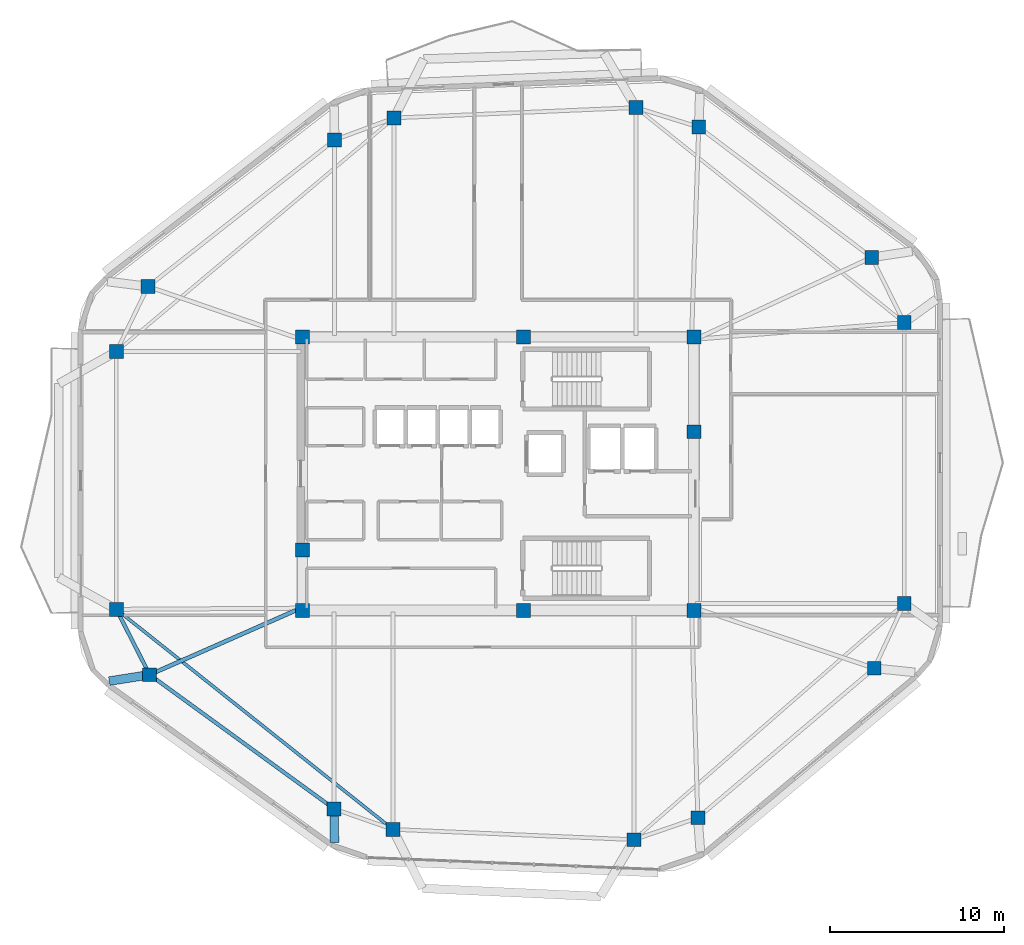
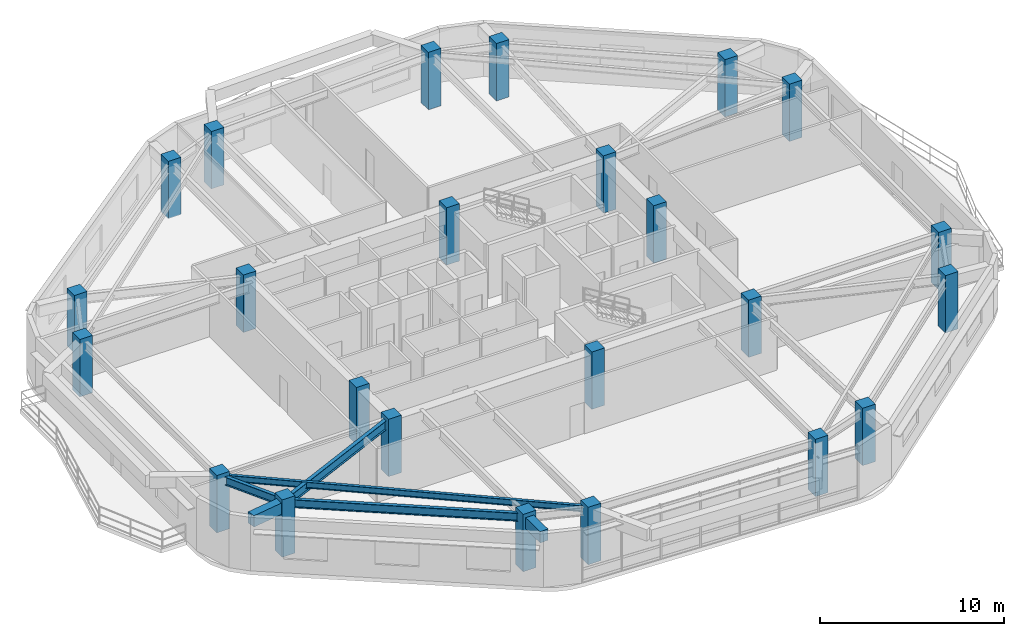
# One storey, part 1 of 13: 24 columns, 6 beams.
"""IFC4 building model written with IfcOpenShell, lengths in metres."""

from ifc_helpers import new_model, si_unit, direction, frame, origin, origin_2d, place, context, subcontext, project, spatial, rectangle, i_section, extrude, material, material_profile, profile_set, type_object, element, save


model = new_model("IFC4")

# Units and contexts
model_context = context("Model", 3, precision=1e-05, world=origin(), true_north=direction((0.0, 1.0)))
body_context = subcontext(model_context, "Body", "Model", "MODEL_VIEW")
ifc_project = project(units=[si_unit("LENGTHUNIT", "METRE"), si_unit("AREAUNIT", "SQUARE_METRE"), si_unit("VOLUMEUNIT", "CUBIC_METRE"), si_unit("PLANEANGLEUNIT", "RADIAN"), si_unit("MASSUNIT", "GRAM", prefix="KILO")], contexts=[model_context])

# Site, building, storey
site_placement = place(None, origin())
site = spatial("IfcSite", under=ifc_project, at=site_placement, CompositionType="ELEMENT")
building_placement = place(site_placement, origin())
building = spatial("IfcBuilding", under=site, at=building_placement, Name="Zulverin Broadcast Headquarters", CompositionType="ELEMENT")
storey_placement = place(building_placement, frame((0.0, 0.0, 278.199951171875)))
storey = spatial("IfcBuildingStorey", under=building, at=storey_placement, Name="L71", CompositionType="ELEMENT", Elevation=278.199951171875)

# Columns
ifc_material_1 = material(Name="Concrete C50/60", Category="concrete")
ifc_material_profile_1 = material_profile(ifc_material_1, rectangle(XDim=0.800048828125, YDim=0.800048828125, at=origin_2d()), Name="Concrete C50/60", Category="concrete")
ifc_profile_set_1 = profile_set([ifc_material_profile_1], Name="Concrete C50/60")
column_type_1 = type_object("IfcColumnType", Name="COL-RC-800", PredefinedType="COLUMN", material=ifc_profile_set_1)
for number, where, z_axis, x_axis, name in (
    (1, (30.93359375, 4.703125, 0.0), (0.0, 0.0, 1.0), (1.0, 0.0, 0.0), "L71 Perimeter Column T01"),
    (2, (44.826904296875, 4.1083984375, 0.0), (0.0, 0.0, 1.0), (1.0, 0.0, 0.0), "L71 Perimeter Column T02"),
    (3, (48.5078125, 5.3701171875, 0.0), (0.0, 0.0, 1.0), (1.0, 0.0, 0.0), "L71 Perimeter Column T03"),
    (4, (58.6748046875, 13.9892578125, 0.0), (0.0, 0.0, 1.0), (1.0, 0.0, 0.0), "L71 Perimeter Column T04"),
    (5, (60.39990234375, 17.713623046875, 0.0), (0.0, 0.0, 1.0), (1.0, 0.0, 0.0), "L71 Perimeter Column T05"),
    (6, (60.39990234375, 33.903076171875, 0.0), (0.0, 0.0, 1.0), (1.0, 0.0, 0.0), "L71 Perimeter Column T06"),
    (7, (58.52587890625, 37.661865234375, 0.0), (0.0, 0.0, 1.0), (1.0, 0.0, 0.0), "L71 Perimeter Column T07"),
    (8, (48.55908203125, 45.172607421875, 0.0), (0.0, 0.0, 1.0), (1.0, 0.0, 0.0), "L71 Perimeter Column T08"),
    (9, (44.944580078125, 46.296630859375, 0.0), (0.0, 0.0, 1.0), (1.0, 0.0, 0.0), "L71 Perimeter Column T09"),
    (10, (31.006591796875, 45.699951171875, 0.0), (0.0, 0.0, 1.0), (1.0, 0.0, 0.0), "L71 Perimeter Column T10"),
    (11, (27.573486328125, 44.4296875, 0.0), (0.0, 0.0, 1.0), (1.0, 0.0, 0.0), "L71 Perimeter Column T11"),
    (12, (16.82177734375, 35.98388671875, 0.0), (0.0, 0.0, 1.0), (1.0, 0.0, 0.0), "L71 Perimeter Column T12"),
    (13, (15.0, 32.236083984375, 0.0), (0.0, 0.0, 1.0), (1.0, 0.0, 0.0), "L71 Perimeter Column T13"),
    (14, (15.0, 17.383056640625, 0.0), (0.0, 0.0, 1.0), (1.0, 0.0, 0.0), "L71 Perimeter Column T14"),
    (15, (16.918212890625, 13.61572265625, 0.0), (0.0, 0.0, 1.0), (1.0, 0.0, 0.0), "L71 Perimeter Column T15"),
    (16, (27.54541015625, 5.8857421875, 0.0), (0.0, 0.0, 1.0), (1.0, 0.0, 0.0), "L71 Perimeter Column T16"),
):
    element("IfcColumn", number, at=place(storey_placement, frame(where, z_axis=z_axis, x_axis=x_axis)), inside=storey, type_object=column_type_1, Name=name, PredefinedType="COLUMN", context=body_context, shape_type="SweptSolid", body=[
        extrude(rectangle(XDim=0.800048828125, YDim=0.800048828125, at=origin_2d()), origin(), (0.0, 0.0, 1.0), 3.800048828125),
    ])
ifc_material_profile_2 = material_profile(ifc_material_1, rectangle(XDim=0.800048828125, YDim=0.800048828125, at=origin_2d()), Name="Concrete C50/60", Category="concrete")
ifc_profile_set_2 = profile_set([ifc_material_profile_2], Name="Concrete C50/60")
column_type_2 = type_object("IfcColumnType", Name="PIL-RC-800", PredefinedType="PILASTER", material=ifc_profile_set_2)
for number, where, z_axis, x_axis, name in (
    (17, (25.72509765625, 17.324951171875, 0.0), (0.0, 0.0, 1.0), (1.0, 0.0, 0.0), "L71 Core Pilaster K01"),
    (18, (38.449951171875, 17.324951171875, 0.0), (0.0, 0.0, 1.0), (1.0, 0.0, 0.0), "L71 Core Pilaster K02"),
    (19, (48.27490234375, 17.324951171875, 0.0), (0.0, 0.0, 1.0), (1.0, 0.0, 0.0), "L71 Core Pilaster K03"),
    (20, (48.27490234375, 27.6201171875, 0.0), (0.0, 0.0, 1.0), (1.0, 0.0, 0.0), "L71 Core Pilaster K04"),
    (21, (48.27490234375, 33.074951171875, 0.0), (0.0, 0.0, 1.0), (1.0, 0.0, 0.0), "L71 Core Pilaster K05"),
    (22, (38.449951171875, 33.074951171875, 0.0), (0.0, 0.0, 1.0), (1.0, 0.0, 0.0), "L71 Core Pilaster K06"),
    (23, (25.72509765625, 33.074951171875, 0.0), (0.0, 0.0, 1.0), (1.0, 0.0, 0.0), "L71 Core Pilaster K07"),
    (24, (25.72509765625, 20.800048828125, 0.0), (0.0, 0.0, 1.0), (1.0, 0.0, 0.0), "L71 Core Pilaster K08"),
):
    element("IfcColumn", number, at=place(storey_placement, frame(where, z_axis=z_axis, x_axis=x_axis)), inside=storey, type_object=column_type_2, Name=name, PredefinedType="PILASTER", context=body_context, shape_type="SweptSolid", body=[
        extrude(rectangle(XDim=0.800048828125, YDim=0.800048828125, at=origin_2d()), origin(), (0.0, 0.0, 1.0), 3.800048828125),
    ])

# Beams
ifc_material_2 = material(Name="Concrete C40/50", Category="concrete")
ifc_material_profile_3 = material_profile(ifc_material_2, rectangle(XDim=0.5, YDim=0.75, at=origin_2d()), Name="Concrete C40/50", Category="concrete")
ifc_profile_set_3 = profile_set([ifc_material_profile_3], Name="Concrete C40/50")
beam_type_1 = type_object("IfcBeamType", Name="BM-RC-500x750", PredefinedType="BEAM", material=ifc_profile_set_3)
beam_1_placement = place(storey_placement, frame((16.918212890625, 13.61572265625, 3.1650390625), z_axis=(-0.987723457787, -0.156212582521, 0.0), x_axis=(0.156212582521, -0.987723457787, 0.0)))
element("IfcBeam", 25, at=beam_1_placement, inside=storey, type_object=beam_type_1, Name="L72 Plate Overhang Back-Spanned Beam OVR-15", PredefinedType="BEAM", context=body_context, shape_type="SweptSolid", body=[
    extrude(rectangle(XDim=0.5, YDim=0.75, at=origin_2d()), origin(), (0.0, 0.0, 1.0), 2.35693359375),
])
beam_2_placement = place(storey_placement, frame((27.54541015625, 5.8857421875, 3.1650390625), z_axis=(0.012082189143, -0.999927007689, 0.0), x_axis=(0.999927007689, 0.012082189143, 0.0)))
element("IfcBeam", 26, at=beam_2_placement, inside=storey, type_object=beam_type_1, Name="L72 Plate Overhang Back-Spanned Beam OVR-16", PredefinedType="BEAM", context=body_context, shape_type="SweptSolid", body=[
    extrude(rectangle(XDim=0.5, YDim=0.75, at=origin_2d()), origin(), (0.0, 0.0, 1.0), 1.93994140625),
])
ifc_material_3 = material(Name="Structural steel S355JR", Category="steel")
ifc_material_profile_4 = material_profile(ifc_material_3, i_section(OverallWidth=0.179443359375, OverallDepth=0.412841796875, WebThickness=0.009521484375, FlangeThickness=0.01611328125, at=origin_2d()), Name="Structural steel S355JR", Category="steel")
ifc_profile_set_4 = profile_set([ifc_material_profile_4], Name="Structural steel S355JR")
beam_type_2 = type_object("IfcBeamType", Name="BM-UB-406", PredefinedType="JOIST", material=ifc_profile_set_4)
beam_3_placement = place(storey_placement, frame((15.0, 17.383056640625, 3.333740234375), z_axis=(0.782469878912, -0.622688436214, 0.0), x_axis=(0.622688436214, 0.782469878912, 0.0)))
element("IfcBeam", 27, at=beam_3_placement, inside=storey, type_object=beam_type_2, Name="L71 Chordal Floor Joist J-04", PredefinedType="JOIST", context=body_context, shape_type="SweptSolid", body=[
    extrude(i_section(OverallWidth=0.179443359375, OverallDepth=0.412841796875, WebThickness=0.009521484375, FlangeThickness=0.01611328125, at=origin_2d()), origin(), (0.0, 0.0, 1.0), 20.36328125),
])
ifc_material_profile_5 = material_profile(ifc_material_3, i_section(OverallWidth=0.2119140625, OverallDepth=0.54443359375, WebThickness=0.0126953125, FlangeThickness=0.021240234375, at=origin_2d()), Name="Structural steel S355JR", Category="steel")
ifc_profile_set_5 = profile_set([ifc_material_profile_5], Name="Structural steel S355JR")
beam_type_3 = type_object("IfcBeamType", Name="BM-UB-533", PredefinedType="SPANDREL", material=ifc_profile_set_5)
beam_4_placement = place(storey_placement, frame((15.0, 17.383056640625, 3.267822265625), z_axis=(0.453738909408, -0.89113467113, 0.0), x_axis=(0.89113467113, 0.453738909408, 0.0)))
element("IfcBeam", 28, at=beam_4_placement, inside=storey, type_object=beam_type_3, Name="L71 Perimeter Spandrel Beam SP-14", PredefinedType="SPANDREL", context=body_context, shape_type="SweptSolid", body=[
    extrude(i_section(OverallWidth=0.2119140625, OverallDepth=0.54443359375, WebThickness=0.0126953125, FlangeThickness=0.021240234375, at=origin_2d()), origin(), (0.0, 0.0, 1.0), 4.2275390625),
])
beam_5_placement = place(storey_placement, frame((16.918212890625, 13.61572265625, 3.267822265625), z_axis=(0.808695913066, -0.588226929162, 0.0), x_axis=(0.588226929162, 0.808695913066, 0.0)))
element("IfcBeam", 29, at=beam_5_placement, inside=storey, type_object=beam_type_3, Name="L71 Perimeter Spandrel Beam SP-15", PredefinedType="SPANDREL", context=body_context, shape_type="SweptSolid", body=[
    extrude(i_section(OverallWidth=0.2119140625, OverallDepth=0.54443359375, WebThickness=0.0126953125, FlangeThickness=0.021240234375, at=origin_2d()), origin(), (0.0, 0.0, 1.0), 13.14111328125),
])
ifc_material_profile_6 = material_profile(ifc_material_3, i_section(OverallWidth=0.230224609375, OverallDepth=0.6171875, WebThickness=0.01318359375, FlangeThickness=0.022216796875, at=origin_2d()), Name="Structural steel S355JR", Category="steel")
ifc_profile_set_6 = profile_set([ifc_material_profile_6], Name="Structural steel S355JR")
beam_type_4 = type_object("IfcBeamType", Name="BM-UB-610", PredefinedType="BEAM", material=ifc_profile_set_6)
beam_6_placement = place(storey_placement, frame((25.625, 17.449951171875, 3.2314453125), z_axis=(-0.915189360301, -0.403024111924, 0.0), x_axis=(0.403024111924, -0.915189360301, 0.0)))
element("IfcBeam", 30, at=beam_6_placement, inside=storey, type_object=beam_type_4, Name="L71 Radial Primary Floor Beam RB-15", PredefinedType="BEAM", context=body_context, shape_type="SweptSolid", body=[
    extrude(i_section(OverallWidth=0.230224609375, OverallDepth=0.6171875, WebThickness=0.01318359375, FlangeThickness=0.022216796875, at=origin_2d()), origin(), (0.0, 0.0, 1.0), 9.513671875),
])

save(model, "model.ifc")
